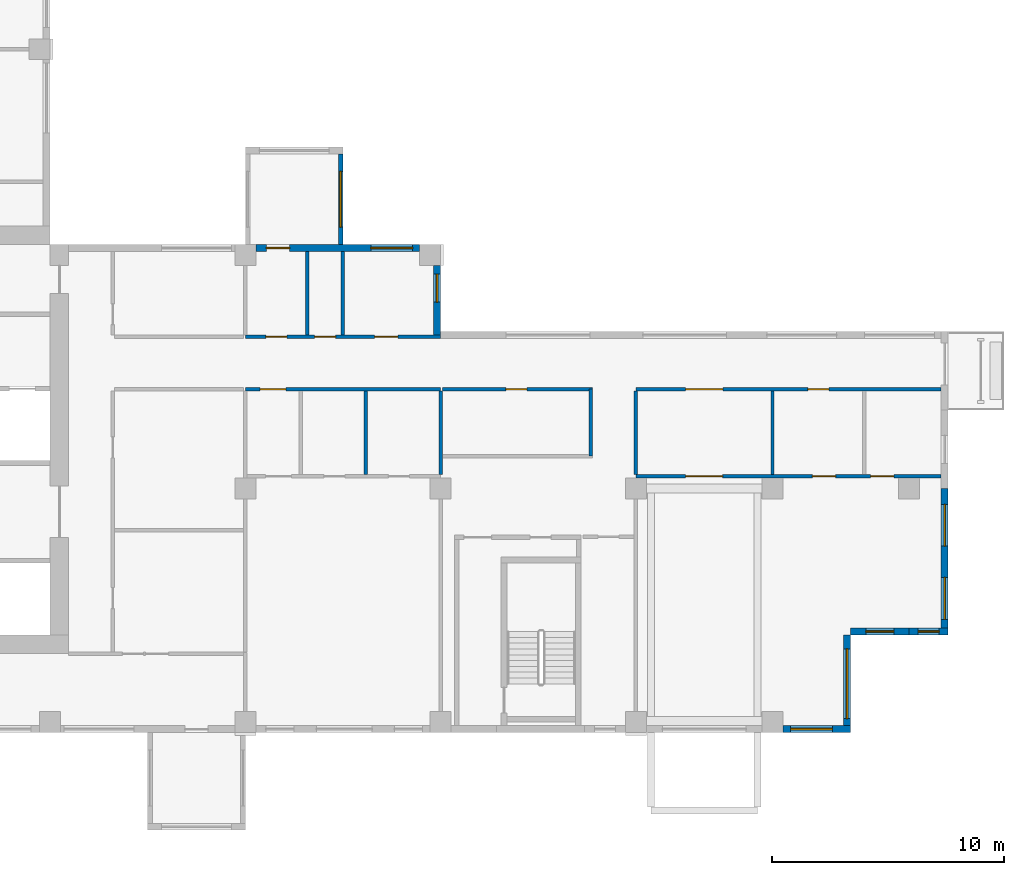
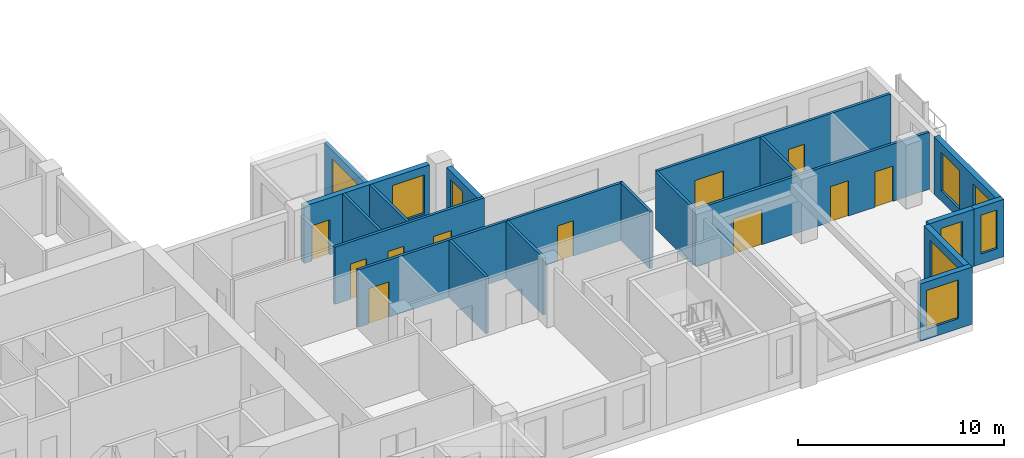
# One storey, part 5 of 12: 20 walls, 11 doors, 9 windows, 20 openings.
"""IFC4 building model written with IfcOpenShell, lengths in metres."""

from ifc_helpers import new_model, si_unit, direction, frame, frame_2d, origin, place, context, subcontext, project, spatial, rectangle, extrude, source, transform, mapped, material, layer, layer_set, type_object, element, fill, save


model = new_model("IFC4")

# Units and contexts
model_context = context("Model", 3, precision=1e-05, world=origin(), true_north=direction((0.0, 1.0)))
body_context = subcontext(model_context, "Body", "Model", "MODEL_VIEW")
ifc_project = project(units=[si_unit("LENGTHUNIT", "METRE"), si_unit("AREAUNIT", "SQUARE_METRE"), si_unit("VOLUMEUNIT", "CUBIC_METRE"), si_unit("PLANEANGLEUNIT", "RADIAN"), si_unit("MASSUNIT", "GRAM", prefix="KILO")], contexts=[model_context])

# Site, building, storey
site_placement = place(None, origin())
site = spatial("IfcSite", under=ifc_project, at=site_placement, CompositionType="ELEMENT")
building_placement = place(site_placement, origin())
building = spatial("IfcBuilding", under=site, at=building_placement, Name="Aurelian Terraces", CompositionType="ELEMENT")
storey_placement = place(building_placement, frame((0.0, 0.0, 196.8)))
storey = spatial("IfcBuildingStorey", under=building, at=storey_placement, Name="L43", CompositionType="ELEMENT", Elevation=196.8)

# Wall, opening, window
ifc_material_1 = material(Name="Terracotta rainscreen cladding", Category="masonry")
ifc_layer_1 = layer(ifc_material_1, 0.3)
ifc_layer_set_1 = layer_set([ifc_layer_1], Name="EW-300")
wall_type_1 = type_object("IfcWallType", Name="EW-300", PredefinedType="STANDARD", material=ifc_layer_set_1)
shared_shape_1 = source(origin(), body_context, "Body", "SweptSolid", [
    extrude(rectangle(XDim=2.91, YDim=0.3, at=frame_2d((1.455, 0.0))), origin(), (0.0, 0.0, 1.0), 3.4),
])
wall_1_placement = place(storey_placement, frame((52.53, 0.15, 0.0), z_axis=(0.0, 0.0, 1.0), x_axis=(1.0, 0.0, 0.0)))
wall_1 = element("IfcWall", 1, at=wall_1_placement, inside=storey, type_object=wall_type_1, Name="External wall L43 F01.7", PredefinedType="STANDARD", context=body_context, shape_type="MappedRepresentation", body=[
    mapped(shared_shape_1, transform((0.0, 0.0, 0.0), scale=1.0)),
])
shared_shape_2 = source(origin(), body_context, "Body", "SweptSolid", [
    extrude(rectangle(XDim=1.8, YDim=2.3, at=frame_2d((0.9, 1.15))), frame((0.0, 0.16, 0.0), z_axis=(0.0, -1.0, 0.0), x_axis=(1.0, 0.0, 0.0)), (0.0, 0.0, 1.0), 0.32),
])
opening_1_placement = place(wall_1_placement, frame((0.33, 0.0, 0.6)))
opening_1 = element("IfcOpeningElement", 2, at=opening_1_placement, cuts=wall_1, Name="Opening W1823", PredefinedType="OPENING", context=body_context, shape_type="MappedRepresentation", body=[
    mapped(shared_shape_2, transform((0.0, 0.0, 0.0), scale=1.0)),
])
ifc_material_2 = material(Name="Clear glazing", Category="glass")
window_type_1 = type_object("IfcWindowType", Name="W-1800x2300", PartitioningType="SINGLE_PANEL", PredefinedType="WINDOW", material=ifc_material_2)
shared_shape_3 = source(origin(), body_context, "Body", "SweptSolid", [
    extrude(rectangle(XDim=1.8, YDim=2.3, at=frame_2d((0.9, 1.15))), frame((0.0, 0.03, 0.0), z_axis=(0.0, -1.0, 0.0), x_axis=(1.0, 0.0, 0.0)), (0.0, 0.0, 1.0), 0.06),
])
window_1_placement = place(opening_1_placement, origin())
window_1 = element("IfcWindow", 3, at=window_1_placement, inside=storey, type_object=window_type_1, Name="Window L43 L43-F01-07-0", OverallHeight=2.3, OverallWidth=1.8, PartitioningType="SINGLE_PANEL", PredefinedType="WINDOW", context=body_context, shape_type="MappedRepresentation", body=[
    mapped(shared_shape_3, transform((0.0, 0.0, 0.0), scale=1.0)),
])
fill(opening_1, window_1)

shared_shape_4 = source(origin(), body_context, "Body", "SweptSolid", [
    extrude(rectangle(XDim=4.2, YDim=0.3, at=frame_2d((2.1, 0.0))), origin(), (0.0, 0.0, 1.0), 3.4),
])
wall_2_placement = place(storey_placement, frame((55.29, 0.0, 0.0), z_axis=(0.0, 0.0, 1.0), x_axis=(0.0, 1.0, 0.0)))
wall_2 = element("IfcWall", 4, at=wall_2_placement, inside=storey, type_object=wall_type_1, Name="External wall L43 F02.8", PredefinedType="STANDARD", context=body_context, shape_type="MappedRepresentation", body=[
    mapped(shared_shape_4, transform((0.0, 0.0, 0.0), scale=1.0)),
])
shared_shape_5 = source(origin(), body_context, "Body", "SweptSolid", [
    extrude(rectangle(XDim=3.0, YDim=2.3, at=frame_2d((1.5, 1.15))), frame((0.0, 0.16, 0.0), z_axis=(0.0, -1.0, 0.0), x_axis=(1.0, 0.0, 0.0)), (0.0, 0.0, 1.0), 0.32),
])
opening_2_placement = place(wall_2_placement, frame((0.6, 0.0, 0.6)))
opening_2 = element("IfcOpeningElement", 5, at=opening_2_placement, cuts=wall_2, Name="Opening W3023", PredefinedType="OPENING", context=body_context, shape_type="MappedRepresentation", body=[
    mapped(shared_shape_5, transform((0.0, 0.0, 0.0), scale=1.0)),
])
window_type_2 = type_object("IfcWindowType", Name="W-3000x2300", PartitioningType="SINGLE_PANEL", PredefinedType="WINDOW", material=ifc_material_2)
shared_shape_6 = source(origin(), body_context, "Body", "SweptSolid", [
    extrude(rectangle(XDim=3.0, YDim=2.3, at=frame_2d((1.5, 1.15))), frame((0.0, 0.03, 0.0), z_axis=(0.0, -1.0, 0.0), x_axis=(1.0, 0.0, 0.0)), (0.0, 0.0, 1.0), 0.06),
])
window_2_placement = place(opening_2_placement, origin())
window_2 = element("IfcWindow", 6, at=window_2_placement, inside=storey, type_object=window_type_2, Name="Window L43 L43-F02-08-0", OverallHeight=2.3, OverallWidth=3.0, PartitioningType="SINGLE_PANEL", PredefinedType="WINDOW", context=body_context, shape_type="MappedRepresentation", body=[
    mapped(shared_shape_6, transform((0.0, 0.0, 0.0), scale=1.0)),
])
fill(opening_2, window_2)

shared_shape_7 = source(origin(), body_context, "Body", "SweptSolid", [
    extrude(rectangle(XDim=2.52, YDim=0.3, at=frame_2d((1.26, 0.0))), origin(), (0.0, 0.0, 1.0), 3.4),
])
wall_3_placement = place(storey_placement, frame((55.44, 4.35, 0.0), z_axis=(0.0, 0.0, 1.0), x_axis=(1.0, 0.0, 0.0)))
wall_3 = element("IfcWall", 7, at=wall_3_placement, inside=storey, type_object=wall_type_1, Name="External wall L43 F03.9", PredefinedType="STANDARD", context=body_context, shape_type="MappedRepresentation", body=[
    mapped(shared_shape_7, transform((0.0, 0.0, 0.0), scale=1.0)),
])
shared_shape_8 = source(origin(), body_context, "Body", "SweptSolid", [
    extrude(rectangle(XDim=1.2, YDim=2.3, at=frame_2d((0.6, 1.15))), frame((0.0, 0.16, 0.0), z_axis=(0.0, -1.0, 0.0), x_axis=(1.0, 0.0, 0.0)), (0.0, 0.0, 1.0), 0.32),
])
opening_3_placement = place(wall_3_placement, frame((0.66, 0.0, 0.6)))
opening_3 = element("IfcOpeningElement", 8, at=opening_3_placement, cuts=wall_3, Name="Opening W1223", PredefinedType="OPENING", context=body_context, shape_type="MappedRepresentation", body=[
    mapped(shared_shape_8, transform((0.0, 0.0, 0.0), scale=1.0)),
])
window_type_3 = type_object("IfcWindowType", Name="W-1200x2300", PartitioningType="SINGLE_PANEL", PredefinedType="WINDOW", material=ifc_material_2)
shared_shape_9 = source(origin(), body_context, "Body", "SweptSolid", [
    extrude(rectangle(XDim=1.2, YDim=2.3, at=frame_2d((0.6, 1.15))), frame((0.0, 0.03, 0.0), z_axis=(0.0, -1.0, 0.0), x_axis=(1.0, 0.0, 0.0)), (0.0, 0.0, 1.0), 0.06),
])
window_3_placement = place(opening_3_placement, origin())
window_3 = element("IfcWindow", 9, at=window_3_placement, inside=storey, type_object=window_type_3, Name="Window L43 L43-F03-09-0", OverallHeight=2.3, OverallWidth=1.2, PartitioningType="SINGLE_PANEL", PredefinedType="WINDOW", context=body_context, shape_type="MappedRepresentation", body=[
    mapped(shared_shape_9, transform((0.0, 0.0, 0.0), scale=1.0)),
])
fill(opening_3, window_3)

shared_shape_10 = source(origin(), body_context, "Body", "SweptSolid", [
    extrude(rectangle(XDim=1.68, YDim=0.3, at=frame_2d((0.84, 0.0))), origin(), (0.0, 0.0, 1.0), 3.4),
])
wall_4_placement = place(storey_placement, frame((57.96, 4.35, 0.0), z_axis=(0.0, 0.0, 1.0), x_axis=(1.0, 0.0, 0.0)))
wall_4 = element("IfcWall", 10, at=wall_4_placement, inside=storey, type_object=wall_type_1, Name="External wall L43 F03.10", PredefinedType="STANDARD", context=body_context, shape_type="MappedRepresentation", body=[
    mapped(shared_shape_10, transform((0.0, 0.0, 0.0), scale=1.0)),
])
shared_shape_11 = source(origin(), body_context, "Body", "SweptSolid", [
    extrude(rectangle(XDim=0.9, YDim=2.3, at=frame_2d((0.45, 1.15))), frame((0.0, 0.16, 0.0), z_axis=(0.0, -1.0, 0.0), x_axis=(1.0, 0.0, 0.0)), (0.0, 0.0, 1.0), 0.32),
])
opening_4_placement = place(wall_4_placement, frame((0.39, 0.0, 0.6)))
opening_4 = element("IfcOpeningElement", 11, at=opening_4_placement, cuts=wall_4, Name="Opening W0923", PredefinedType="OPENING", context=body_context, shape_type="MappedRepresentation", body=[
    mapped(shared_shape_11, transform((0.0, 0.0, 0.0), scale=1.0)),
])
window_type_4 = type_object("IfcWindowType", Name="W-900x2300", PartitioningType="SINGLE_PANEL", PredefinedType="WINDOW", material=ifc_material_2)
shared_shape_12 = source(origin(), body_context, "Body", "SweptSolid", [
    extrude(rectangle(XDim=0.9, YDim=2.3, at=frame_2d((0.45, 1.15))), frame((0.0, 0.03, 0.0), z_axis=(0.0, -1.0, 0.0), x_axis=(1.0, 0.0, 0.0)), (0.0, 0.0, 1.0), 0.06),
])
window_4_placement = place(opening_4_placement, origin())
window_4 = element("IfcWindow", 12, at=window_4_placement, inside=storey, type_object=window_type_4, Name="Window L43 L43-F03-10-P0", OverallHeight=2.3, OverallWidth=0.9, PartitioningType="SINGLE_PANEL", PredefinedType="WINDOW", context=body_context, shape_type="MappedRepresentation", body=[
    mapped(shared_shape_12, transform((0.0, 0.0, 0.0), scale=1.0)),
])
fill(opening_4, window_4)

ifc_material_3 = material(Name="Concrete fc' 40 MPa", Category="concrete")
ifc_layer_2 = layer(ifc_material_3, 0.2)
ifc_layer_set_2 = layer_set([ifc_layer_2], Name="BOX BEARING WALL 200")
wall_type_2 = type_object("IfcWallType", Name="BOX BEARING WALL 200", PredefinedType="SOLIDWALL", material=ifc_layer_set_2)
shared_shape_13 = source(origin(), body_context, "Body", "SweptSolid", [
    extrude(rectangle(XDim=3.9, YDim=0.2, at=frame_2d((1.95, 0.0))), origin(), (0.0, 0.0, 1.0), 3.4),
])
wall_5_placement = place(storey_placement, frame((33.5, 21.0, 0.0), z_axis=(0.0, 0.0, 1.0), x_axis=(0.0, 1.0, 0.0)))
wall_5 = element("IfcWall", 13, at=wall_5_placement, inside=storey, type_object=wall_type_2, Name="Box return L43 J59.1", PredefinedType="SOLIDWALL", context=body_context, shape_type="MappedRepresentation", body=[
    mapped(shared_shape_13, transform((0.0, 0.0, 0.0), scale=1.0)),
])
shared_shape_14 = source(origin(), body_context, "Body", "SweptSolid", [
    extrude(rectangle(XDim=2.4, YDim=2.3, at=frame_2d((1.2, 1.15))), frame((0.0, 0.11, 0.0), z_axis=(0.0, -1.0, 0.0), x_axis=(1.0, 0.0, 0.0)), (0.0, 0.0, 1.0), 0.22),
])
opening_5_placement = place(wall_5_placement, frame((0.75, 0.0, 0.6)))
opening_5 = element("IfcOpeningElement", 14, at=opening_5_placement, cuts=wall_5, Name="Opening W2423", PredefinedType="OPENING", context=body_context, shape_type="MappedRepresentation", body=[
    mapped(shared_shape_14, transform((0.0, 0.0, 0.0), scale=1.0)),
])
window_type_5 = type_object("IfcWindowType", Name="W-2400x2300", PartitioningType="SINGLE_PANEL", PredefinedType="WINDOW", material=ifc_material_2)
shared_shape_15 = source(origin(), body_context, "Body", "SweptSolid", [
    extrude(rectangle(XDim=2.4, YDim=2.3, at=frame_2d((1.2, 1.15))), frame((0.0, 0.03, 0.0), z_axis=(0.0, -1.0, 0.0), x_axis=(1.0, 0.0, 0.0)), (0.0, 0.0, 1.0), 0.06),
])
window_5_placement = place(opening_5_placement, origin())
window_5 = element("IfcWindow", 15, at=window_5_placement, inside=storey, type_object=window_type_5, Name="Window L43 J59-S1", OverallHeight=2.3, OverallWidth=2.4, PartitioningType="SINGLE_PANEL", PredefinedType="WINDOW", context=body_context, shape_type="MappedRepresentation", body=[
    mapped(shared_shape_15, transform((0.0, 0.0, 0.0), scale=1.0)),
])
fill(opening_5, window_5)

# Wall, openings, windows
shared_shape_16 = source(origin(), body_context, "Body", "SweptSolid", [
    extrude(rectangle(XDim=6.3, YDim=0.3, at=frame_2d((3.15, 0.0))), origin(), (0.0, 0.0, 1.0), 3.4),
])
wall_6_placement = place(storey_placement, frame((59.49, 4.2, 0.0), z_axis=(0.0, 0.0, 1.0), x_axis=(0.0, 1.0, 0.0)))
wall_6 = element("IfcWall", 16, at=wall_6_placement, inside=storey, type_object=wall_type_1, Name="External wall L43 F04.11", PredefinedType="STANDARD", context=body_context, shape_type="MappedRepresentation", body=[
    mapped(shared_shape_16, transform((0.0, 0.0, 0.0), scale=1.0)),
])
opening_6_placement = place(wall_6_placement, frame((0.675, 0.0, 0.6)))
opening_6 = element("IfcOpeningElement", 17, at=opening_6_placement, cuts=wall_6, Name="Opening W1823", PredefinedType="OPENING", context=body_context, shape_type="MappedRepresentation", body=[
    mapped(shared_shape_2, transform((0.0, 0.0, 0.0), scale=1.0)),
])
opening_7_placement = place(wall_6_placement, frame((3.825, 0.0, 0.6)))
opening_7 = element("IfcOpeningElement", 18, at=opening_7_placement, cuts=wall_6, Name="Opening W1823", PredefinedType="OPENING", context=body_context, shape_type="MappedRepresentation", body=[
    mapped(shared_shape_2, transform((0.0, 0.0, 0.0), scale=1.0)),
])
window_6_placement = place(opening_6_placement, origin())
window_6 = element("IfcWindow", 19, at=window_6_placement, inside=storey, type_object=window_type_1, Name="Window L43 L43-F04-11-0", OverallHeight=2.3, OverallWidth=1.8, PartitioningType="SINGLE_PANEL", PredefinedType="WINDOW", context=body_context, shape_type="MappedRepresentation", body=[
    mapped(shared_shape_3, transform((0.0, 0.0, 0.0), scale=1.0)),
])
fill(opening_6, window_6)
window_7_placement = place(opening_7_placement, origin())
window_7 = element("IfcWindow", 20, at=window_7_placement, inside=storey, type_object=window_type_1, Name="Window L43 L43-F04-11-1", OverallHeight=2.3, OverallWidth=1.8, PartitioningType="SINGLE_PANEL", PredefinedType="WINDOW", context=body_context, shape_type="MappedRepresentation", body=[
    mapped(shared_shape_3, transform((0.0, 0.0, 0.0), scale=1.0)),
])
fill(opening_7, window_7)

# Wall, opening, window
shared_shape_17 = source(origin(), body_context, "Body", "SweptSolid", [
    extrude(rectangle(XDim=3.0, YDim=0.3, at=frame_2d((1.5, 0.0))), origin(), (0.0, 0.0, 1.0), 3.4),
])
wall_7_placement = place(storey_placement, frame((37.65, 17.1, 0.0), z_axis=(0.0, 0.0, 1.0), x_axis=(0.0, 1.0, 0.0)))
wall_7 = element("IfcWall", 21, at=wall_7_placement, inside=storey, type_object=wall_type_1, Name="External wall L43 F06.15", PredefinedType="STANDARD", context=body_context, shape_type="MappedRepresentation", body=[
    mapped(shared_shape_17, transform((0.0, 0.0, 0.0), scale=1.0)),
])
opening_8_placement = place(wall_7_placement, frame((1.425, 0.0, 0.6)))
opening_8 = element("IfcOpeningElement", 22, at=opening_8_placement, cuts=wall_7, Name="Opening W1223", PredefinedType="OPENING", context=body_context, shape_type="MappedRepresentation", body=[
    mapped(shared_shape_8, transform((0.0, 0.0, 0.0), scale=1.0)),
])
window_8_placement = place(opening_8_placement, origin())
window_8 = element("IfcWindow", 23, at=window_8_placement, inside=storey, type_object=window_type_3, Name="Window L43 L43-F06-15-0", OverallHeight=2.3, OverallWidth=1.2, PartitioningType="SINGLE_PANEL", PredefinedType="WINDOW", context=body_context, shape_type="MappedRepresentation", body=[
    mapped(shared_shape_9, transform((0.0, 0.0, 0.0), scale=1.0)),
])
fill(opening_8, window_8)

# Wall, openings, window, door
shared_shape_18 = source(origin(), body_context, "Body", "SweptSolid", [
    extrude(rectangle(XDim=7.05, YDim=0.3, at=frame_2d((3.525, 0.0))), origin(), (0.0, 0.0, 1.0), 3.4),
])
wall_8_placement = place(storey_placement, frame((36.9, 20.85, 0.0), z_axis=(0.0, 0.0, 1.0), x_axis=(-1.0, 0.0, 0.0)))
wall_8 = element("IfcWall", 24, at=wall_8_placement, inside=storey, type_object=wall_type_1, Name="External wall L43 F07.16", PredefinedType="STANDARD", context=body_context, shape_type="MappedRepresentation", body=[
    mapped(shared_shape_18, transform((0.0, 0.0, 0.0), scale=1.0)),
])
opening_9_placement = place(wall_8_placement, frame((0.3, 0.0, 0.6)))
opening_9 = element("IfcOpeningElement", 25, at=opening_9_placement, cuts=wall_8, Name="Opening W1823", PredefinedType="OPENING", context=body_context, shape_type="MappedRepresentation", body=[
    mapped(shared_shape_2, transform((0.0, 0.0, 0.0), scale=1.0)),
])
shared_shape_19 = source(origin(), body_context, "Body", "SweptSolid", [
    extrude(rectangle(XDim=1.0, YDim=2.1, at=frame_2d((0.5, 1.05))), frame((0.0, 0.16, 0.0), z_axis=(0.0, -1.0, 0.0), x_axis=(1.0, 0.0, 0.0)), (0.0, 0.0, 1.0), 0.32),
])
opening_10_placement = place(wall_8_placement, frame((5.6, 0.0, 0.0)))
opening_10 = element("IfcOpeningElement", 26, at=opening_10_placement, cuts=wall_8, Name="Opening 843002", PredefinedType="OPENING", context=body_context, shape_type="MappedRepresentation", body=[
    mapped(shared_shape_19, transform((0.0, 0.0, 0.0), scale=1.0)),
])
window_9_placement = place(opening_9_placement, origin())
window_9 = element("IfcWindow", 27, at=window_9_placement, inside=storey, type_object=window_type_1, Name="Window L43 L43-F07-16-0", OverallHeight=2.3, OverallWidth=1.8, PartitioningType="SINGLE_PANEL", PredefinedType="WINDOW", context=body_context, shape_type="MappedRepresentation", body=[
    mapped(shared_shape_3, transform((0.0, 0.0, 0.0), scale=1.0)),
])
fill(opening_9, window_9)
ifc_material_4 = material(Name="Timber door leaf", Category="wood")
door_type_1 = type_object("IfcDoorType", Name="Room door 1000x2100 left", OperationType="SINGLE_SWING_LEFT", PredefinedType="DOOR", material=ifc_material_4)
shared_shape_20 = source(origin(), body_context, "Body", "SweptSolid", [
    extrude(rectangle(XDim=1.0, YDim=2.1, at=frame_2d((0.5, 1.05))), frame((0.0, 0.025, 0.0), z_axis=(0.0, -1.0, 0.0), x_axis=(1.0, 0.0, 0.0)), (0.0, 0.0, 1.0), 0.05),
])
door_1_placement = place(opening_10_placement, origin())
door_1 = element("IfcDoor", 28, at=door_1_placement, inside=storey, type_object=door_type_1, Name="Door 843002", OperationType="SINGLE_SWING_LEFT", OverallHeight=2.1, OverallWidth=1.0, PredefinedType="DOOR", context=body_context, shape_type="MappedRepresentation", body=[
    mapped(shared_shape_20, transform((0.0, 0.0, 0.0), scale=1.0)),
])
fill(opening_10, door_1)

# Wall, opening, door
ifc_material_5 = material(Name="Gypsum board on steel studs", Category="steel")
ifc_layer_3 = layer(ifc_material_5, 0.15)
ifc_layer_set_3 = layer_set([ifc_layer_3], Name="Fire partition 150")
wall_type_3 = type_object("IfcWallType", Name="Fire partition 150", PredefinedType="PARTITIONING", material=ifc_layer_set_3)
shared_shape_21 = source(origin(), body_context, "Body", "SweptSolid", [
    extrude(rectangle(XDim=6.45, YDim=0.15, at=frame_2d((3.225, 0.0))), origin(), (0.0, 0.0, 1.0), 3.4),
])
wall_9_placement = place(storey_placement, frame((44.325, 14.775, 0.0), z_axis=(0.0, 0.0, 1.0), x_axis=(-1.0, 0.0, 0.0)))
wall_9 = element("IfcWall", 29, at=wall_9_placement, inside=storey, type_object=wall_type_3, Name="Corridor wall", PredefinedType="PARTITIONING", context=body_context, shape_type="MappedRepresentation", body=[
    mapped(shared_shape_21, transform((0.0, 0.0, 0.0), scale=1.0)),
])
shared_shape_22 = source(origin(), body_context, "Body", "SweptSolid", [
    extrude(rectangle(XDim=0.9, YDim=2.1, at=frame_2d((0.45, 1.05))), frame((0.0, 0.085, 0.0), z_axis=(0.0, -1.0, 0.0), x_axis=(1.0, 0.0, 0.0)), (0.0, 0.0, 1.0), 0.17),
])
opening_11_placement = place(wall_9_placement, frame((2.8125, 0.0, 0.0)))
opening_11 = element("IfcOpeningElement", 30, at=opening_11_placement, cuts=wall_9, Name="Opening 743005", PredefinedType="OPENING", context=body_context, shape_type="MappedRepresentation", body=[
    mapped(shared_shape_22, transform((0.0, 0.0, 0.0), scale=1.0)),
])
door_type_2 = type_object("IfcDoorType", Name="Room door 900x2100 left", OperationType="SINGLE_SWING_LEFT", PredefinedType="DOOR", material=ifc_material_4)
shared_shape_23 = source(origin(), body_context, "Body", "SweptSolid", [
    extrude(rectangle(XDim=0.9, YDim=2.1, at=frame_2d((0.45, 1.05))), frame((0.0, 0.025, 0.0), z_axis=(0.0, -1.0, 0.0), x_axis=(1.0, 0.0, 0.0)), (0.0, 0.0, 1.0), 0.05),
])
door_2_placement = place(opening_11_placement, origin())
door_2 = element("IfcDoor", 31, at=door_2_placement, inside=storey, type_object=door_type_2, Name="Door 743005", OperationType="SINGLE_SWING_LEFT", OverallHeight=2.1, OverallWidth=0.9, PredefinedType="DOOR", context=body_context, shape_type="MappedRepresentation", body=[
    mapped(shared_shape_23, transform((0.0, 0.0, 0.0), scale=1.0)),
])
fill(opening_11, door_2)

# Walls
ifc_layer_4 = layer(ifc_material_5, 0.15)
ifc_layer_set_4 = layer_set([ifc_layer_4], Name="Partition 150")
wall_type_4 = type_object("IfcWallType", Name="Partition 150", PredefinedType="PARTITIONING", material=ifc_layer_set_4)
shared_shape_24 = source(origin(), body_context, "Body", "SweptSolid", [
    extrude(rectangle(XDim=3.6, YDim=0.15, at=frame_2d((1.8, 0.0))), origin(), (0.0, 0.0, 1.0), 3.4),
])
wall_10_placement = place(storey_placement, frame((34.5827, 11.1, 0.0), z_axis=(0.0, 0.0, 1.0), x_axis=(0.0, 1.0, 0.0)))
element("IfcWall", 32, at=wall_10_placement, inside=storey, type_object=wall_type_4, Name="Partition", PredefinedType="PARTITIONING", context=body_context, shape_type="MappedRepresentation", body=[
    mapped(shared_shape_24, transform((0.0, 0.0, 0.0), scale=1.0)),
])
wall_11_placement = place(storey_placement, frame((37.8, 11.1, 0.0), z_axis=(0.0, 0.0, 1.0), x_axis=(0.0, 1.0, 0.0)))
element("IfcWall", 33, at=wall_11_placement, inside=storey, type_object=wall_type_3, Name="Party wall", PredefinedType="PARTITIONING", context=body_context, shape_type="MappedRepresentation", body=[
    mapped(shared_shape_24, transform((0.0, 0.0, 0.0), scale=1.0)),
])
wall_12_placement = place(storey_placement, frame((52.08, 11.1, 0.0), z_axis=(0.0, 0.0, 1.0), x_axis=(0.0, 1.0, 0.0)))
element("IfcWall", 34, at=wall_12_placement, inside=storey, type_object=wall_type_4, Name="Partition", PredefinedType="PARTITIONING", context=body_context, shape_type="MappedRepresentation", body=[
    mapped(shared_shape_24, transform((0.0, 0.0, 0.0), scale=1.0)),
])
wall_13_placement = place(storey_placement, frame((46.2, 11.1, 0.0), z_axis=(0.0, 0.0, 1.0), x_axis=(0.0, 1.0, 0.0)))
element("IfcWall", 35, at=wall_13_placement, inside=storey, type_object=wall_type_3, Name="Party wall", PredefinedType="PARTITIONING", context=body_context, shape_type="MappedRepresentation", body=[
    mapped(shared_shape_24, transform((0.0, 0.0, 0.0), scale=1.0)),
])
wall_14_placement = place(storey_placement, frame((32.067, 20.7, 0.0), z_axis=(0.0, 0.0, 1.0), x_axis=(0.0, -1.0, 0.0)))
element("IfcWall", 36, at=wall_14_placement, inside=storey, type_object=wall_type_4, Name="Partition", PredefinedType="PARTITIONING", context=body_context, shape_type="MappedRepresentation", body=[
    mapped(shared_shape_24, transform((0.0, 0.0, 0.0), scale=1.0)),
])
wall_15_placement = place(storey_placement, frame((33.6, 17.1, 0.0), z_axis=(0.0, 0.0, 1.0), x_axis=(0.0, 1.0, 0.0)))
element("IfcWall", 37, at=wall_15_placement, inside=storey, type_object=wall_type_3, Name="Party wall", PredefinedType="PARTITIONING", context=body_context, shape_type="MappedRepresentation", body=[
    mapped(shared_shape_24, transform((0.0, 0.0, 0.0), scale=1.0)),
])

# Wall, opening, door
shared_shape_25 = source(origin(), body_context, "Body", "SweptSolid", [
    extrude(rectangle(XDim=8.4, YDim=0.15, at=frame_2d((4.2, 0.0))), origin(), (0.0, 0.0, 1.0), 3.4),
])
wall_16_placement = place(storey_placement, frame((37.8, 14.775, 0.0), z_axis=(0.0, 0.0, 1.0), x_axis=(-1.0, 0.0, 0.0)))
wall_16 = element("IfcWall", 38, at=wall_16_placement, inside=storey, type_object=wall_type_3, Name="Corridor wall", PredefinedType="PARTITIONING", context=body_context, shape_type="MappedRepresentation", body=[
    mapped(shared_shape_25, transform((0.0, 0.0, 0.0), scale=1.0)),
])
shared_shape_26 = source(origin(), body_context, "Body", "SweptSolid", [
    extrude(rectangle(XDim=1.1, YDim=2.1, at=frame_2d((0.55, 1.05))), frame((0.0, 0.085, 0.0), z_axis=(0.0, -1.0, 0.0), x_axis=(1.0, 0.0, 0.0)), (0.0, 0.0, 1.0), 0.17),
])
opening_12_placement = place(wall_16_placement, frame((6.6615, 0.0, 0.0)))
opening_12 = element("IfcOpeningElement", 39, at=opening_12_placement, cuts=wall_16, Name="Opening 743007", PredefinedType="OPENING", context=body_context, shape_type="MappedRepresentation", body=[
    mapped(shared_shape_26, transform((0.0, 0.0, 0.0), scale=1.0)),
])
ifc_material_6 = material(Name="Steel door leaf", Category="steel")
door_type_3 = type_object("IfcDoorType", Name="Entrance fire door 1100x2100 right", OperationType="SINGLE_SWING_RIGHT", PredefinedType="DOOR", material=ifc_material_6)
shared_shape_27 = source(origin(), body_context, "Body", "SweptSolid", [
    extrude(rectangle(XDim=1.1, YDim=2.1, at=frame_2d((0.55, 1.05))), frame((0.0, 0.025, 0.0), z_axis=(0.0, -1.0, 0.0), x_axis=(1.0, 0.0, 0.0)), (0.0, 0.0, 1.0), 0.05),
])
door_3_placement = place(opening_12_placement, origin())
door_3 = element("IfcDoor", 40, at=door_3_placement, inside=storey, type_object=door_type_3, Name="Door 743007", OperationType="SINGLE_SWING_RIGHT", OverallHeight=2.1, OverallWidth=1.1, PredefinedType="DOOR", context=body_context, shape_type="MappedRepresentation", body=[
    mapped(shared_shape_27, transform((0.0, 0.0, 0.0), scale=1.0)),
])
fill(opening_12, door_3)

# Wall, openings, doors
wall_17_placement = place(storey_placement, frame((29.4, 17.025, 0.0), z_axis=(0.0, 0.0, 1.0), x_axis=(1.0, 0.0, 0.0)))
wall_17 = element("IfcWall", 41, at=wall_17_placement, inside=storey, type_object=wall_type_3, Name="Corridor wall", PredefinedType="PARTITIONING", context=body_context, shape_type="MappedRepresentation", body=[
    mapped(shared_shape_25, transform((0.0, 0.0, 0.0), scale=1.0)),
])
opening_13_placement = place(wall_17_placement, frame((0.8835, 0.0, 0.0)))
opening_13 = element("IfcOpeningElement", 42, at=opening_13_placement, cuts=wall_17, Name="Opening 743016", PredefinedType="OPENING", context=body_context, shape_type="MappedRepresentation", body=[
    mapped(shared_shape_22, transform((0.0, 0.0, 0.0), scale=1.0)),
])
opening_14_placement = place(wall_17_placement, frame((2.9835, 0.0, 0.0)))
opening_14 = element("IfcOpeningElement", 43, at=opening_14_placement, cuts=wall_17, Name="Opening 743017", PredefinedType="OPENING", context=body_context, shape_type="MappedRepresentation", body=[
    mapped(shared_shape_22, transform((0.0, 0.0, 0.0), scale=1.0)),
])
shared_shape_28 = source(origin(), body_context, "Body", "SweptSolid", [
    extrude(rectangle(XDim=1.0, YDim=2.1, at=frame_2d((0.5, 1.05))), frame((0.0, 0.085, 0.0), z_axis=(0.0, -1.0, 0.0), x_axis=(1.0, 0.0, 0.0)), (0.0, 0.0, 1.0), 0.17),
])
opening_15_placement = place(wall_17_placement, frame((5.5567, 0.0, 0.0)))
opening_15 = element("IfcOpeningElement", 44, at=opening_15_placement, cuts=wall_17, Name="Opening 743018", PredefinedType="OPENING", context=body_context, shape_type="MappedRepresentation", body=[
    mapped(shared_shape_28, transform((0.0, 0.0, 0.0), scale=1.0)),
])
door_type_4 = type_object("IfcDoorType", Name="Entrance fire door 1000x2100 right", OperationType="SINGLE_SWING_RIGHT", PredefinedType="DOOR", material=ifc_material_6)
door_4_placement = place(opening_15_placement, origin())
door_4 = element("IfcDoor", 45, at=door_4_placement, inside=storey, type_object=door_type_4, Name="Door 743018", OperationType="SINGLE_SWING_RIGHT", OverallHeight=2.1, OverallWidth=1.0, PredefinedType="DOOR", context=body_context, shape_type="MappedRepresentation", body=[
    mapped(shared_shape_20, transform((0.0, 0.0, 0.0), scale=1.0)),
])
fill(opening_15, door_4)
door_type_5 = type_object("IfcDoorType", Name="Entrance fire door 900x2100 right", OperationType="SINGLE_SWING_RIGHT", PredefinedType="DOOR", material=ifc_material_6)
door_5_placement = place(opening_13_placement, origin())
door_5 = element("IfcDoor", 46, at=door_5_placement, inside=storey, type_object=door_type_5, Name="Door 743016", OperationType="SINGLE_SWING_RIGHT", OverallHeight=2.1, OverallWidth=0.9, PredefinedType="DOOR", context=body_context, shape_type="MappedRepresentation", body=[
    mapped(shared_shape_23, transform((0.0, 0.0, 0.0), scale=1.0)),
])
fill(opening_13, door_5)
door_type_6 = type_object("IfcDoorType", Name="Entrance fire door 900x2100 left", OperationType="SINGLE_SWING_LEFT", PredefinedType="DOOR", material=ifc_material_6)
door_6_placement = place(opening_14_placement, origin())
door_6 = element("IfcDoor", 47, at=door_6_placement, inside=storey, type_object=door_type_6, Name="Door 743017", OperationType="SINGLE_SWING_LEFT", OverallHeight=2.1, OverallWidth=0.9, PredefinedType="DOOR", context=body_context, shape_type="MappedRepresentation", body=[
    mapped(shared_shape_23, transform((0.0, 0.0, 0.0), scale=1.0)),
])
fill(opening_14, door_6)

shared_shape_29 = source(origin(), body_context, "Body", "SweptSolid", [
    extrude(rectangle(XDim=13.14, YDim=0.15, at=frame_2d((6.57, 0.0))), origin(), (0.0, 0.0, 1.0), 3.4),
])
wall_18_placement = place(storey_placement, frame((59.34, 11.025, 0.0), z_axis=(0.0, 0.0, 1.0), x_axis=(-1.0, 0.0, 0.0)))
wall_18 = element("IfcWall", 48, at=wall_18_placement, inside=storey, type_object=wall_type_4, Name="Partition", PredefinedType="PARTITIONING", context=body_context, shape_type="MappedRepresentation", body=[
    mapped(shared_shape_29, transform((0.0, 0.0, 0.0), scale=1.0)),
])
shared_shape_30 = source(origin(), body_context, "Body", "SweptSolid", [
    extrude(rectangle(XDim=1.6, YDim=2.1, at=frame_2d((0.8, 1.05))), frame((0.0, 0.085, 0.0), z_axis=(0.0, -1.0, 0.0), x_axis=(1.0, 0.0, 0.0)), (0.0, 0.0, 1.0), 0.17),
])
opening_16_placement = place(wall_18_placement, frame((9.4025, 0.0, 0.0)))
opening_16 = element("IfcOpeningElement", 49, at=opening_16_placement, cuts=wall_18, Name="Opening 743012", PredefinedType="OPENING", context=body_context, shape_type="MappedRepresentation", body=[
    mapped(shared_shape_30, transform((0.0, 0.0, 0.0), scale=1.0)),
])
opening_17_placement = place(wall_18_placement, frame((4.5491, 0.0, 0.0)))
opening_17 = element("IfcOpeningElement", 50, at=opening_17_placement, cuts=wall_18, Name="Opening 743013", PredefinedType="OPENING", context=body_context, shape_type="MappedRepresentation", body=[
    mapped(shared_shape_28, transform((0.0, 0.0, 0.0), scale=1.0)),
])
opening_18_placement = place(wall_18_placement, frame((2.0381, 0.0, 0.0)))
opening_18 = element("IfcOpeningElement", 51, at=opening_18_placement, cuts=wall_18, Name="Opening 743014", PredefinedType="OPENING", context=body_context, shape_type="MappedRepresentation", body=[
    mapped(shared_shape_28, transform((0.0, 0.0, 0.0), scale=1.0)),
])
door_type_7 = type_object("IfcDoorType", Name="Room door 1000x2100 right", OperationType="SINGLE_SWING_RIGHT", PredefinedType="DOOR", material=ifc_material_4)
door_7_placement = place(opening_17_placement, origin())
door_7 = element("IfcDoor", 52, at=door_7_placement, inside=storey, type_object=door_type_7, Name="Door 743013", OperationType="SINGLE_SWING_RIGHT", OverallHeight=2.1, OverallWidth=1.0, PredefinedType="DOOR", context=body_context, shape_type="MappedRepresentation", body=[
    mapped(shared_shape_20, transform((0.0, 0.0, 0.0), scale=1.0)),
])
fill(opening_17, door_7)
door_8_placement = place(opening_18_placement, origin())
door_8 = element("IfcDoor", 53, at=door_8_placement, inside=storey, type_object=door_type_1, Name="Door 743014", OperationType="SINGLE_SWING_LEFT", OverallHeight=2.1, OverallWidth=1.0, PredefinedType="DOOR", context=body_context, shape_type="MappedRepresentation", body=[
    mapped(shared_shape_20, transform((0.0, 0.0, 0.0), scale=1.0)),
])
fill(opening_18, door_8)
door_type_8 = type_object("IfcDoorType", Name="Room door 1600x2100 left", OperationType="SINGLE_SWING_LEFT", PredefinedType="DOOR", material=ifc_material_4)
shared_shape_31 = source(origin(), body_context, "Body", "SweptSolid", [
    extrude(rectangle(XDim=1.6, YDim=2.1, at=frame_2d((0.8, 1.05))), frame((0.0, 0.025, 0.0), z_axis=(0.0, -1.0, 0.0), x_axis=(1.0, 0.0, 0.0)), (0.0, 0.0, 1.0), 0.05),
])
door_9_placement = place(opening_16_placement, origin())
door_9 = element("IfcDoor", 54, at=door_9_placement, inside=storey, type_object=door_type_8, Name="Door 743012", OperationType="SINGLE_SWING_LEFT", OverallHeight=2.1, OverallWidth=1.6, PredefinedType="DOOR", context=body_context, shape_type="MappedRepresentation", body=[
    mapped(shared_shape_31, transform((0.0, 0.0, 0.0), scale=1.0)),
])
fill(opening_16, door_9)

wall_19_placement = place(storey_placement, frame((59.34, 14.775, 0.0), z_axis=(0.0, 0.0, 1.0), x_axis=(-1.0, 0.0, 0.0)))
wall_19 = element("IfcWall", 55, at=wall_19_placement, inside=storey, type_object=wall_type_3, Name="Corridor wall", PredefinedType="PARTITIONING", context=body_context, shape_type="MappedRepresentation", body=[
    mapped(shared_shape_29, transform((0.0, 0.0, 0.0), scale=1.0)),
])
opening_19_placement = place(wall_19_placement, frame((9.4, 0.0, 0.0)))
opening_19 = element("IfcOpeningElement", 56, at=opening_19_placement, cuts=wall_19, Name="Opening 743011", PredefinedType="OPENING", context=body_context, shape_type="MappedRepresentation", body=[
    mapped(shared_shape_30, transform((0.0, 0.0, 0.0), scale=1.0)),
])
opening_20_placement = place(wall_19_placement, frame((4.8366, 0.0, 0.0)))
opening_20 = element("IfcOpeningElement", 57, at=opening_20_placement, cuts=wall_19, Name="Opening 743015", PredefinedType="OPENING", context=body_context, shape_type="MappedRepresentation", body=[
    mapped(shared_shape_22, transform((0.0, 0.0, 0.0), scale=1.0)),
])
door_10_placement = place(opening_20_placement, origin())
door_10 = element("IfcDoor", 58, at=door_10_placement, inside=storey, type_object=door_type_5, Name="Door 743015", OperationType="SINGLE_SWING_RIGHT", OverallHeight=2.1, OverallWidth=0.9, PredefinedType="DOOR", context=body_context, shape_type="MappedRepresentation", body=[
    mapped(shared_shape_23, transform((0.0, 0.0, 0.0), scale=1.0)),
])
fill(opening_20, door_10)
door_type_9 = type_object("IfcDoorType", Name="Entrance fire door 1600x2100 right", OperationType="SINGLE_SWING_RIGHT", PredefinedType="DOOR", material=ifc_material_6)
door_11_placement = place(opening_19_placement, origin())
door_11 = element("IfcDoor", 59, at=door_11_placement, inside=storey, type_object=door_type_9, Name="Door 743011", OperationType="SINGLE_SWING_RIGHT", OverallHeight=2.1, OverallWidth=1.6, PredefinedType="DOOR", context=body_context, shape_type="MappedRepresentation", body=[
    mapped(shared_shape_31, transform((0.0, 0.0, 0.0), scale=1.0)),
])
fill(opening_19, door_11)

# Wall
shared_shape_32 = source(origin(), body_context, "Body", "SweptSolid", [
    extrude(rectangle(XDim=2.875, YDim=0.15, at=frame_2d((1.4375, 0.0))), origin(), (0.0, 0.0, 1.0), 3.4),
])
wall_20_placement = place(storey_placement, frame((44.25, 11.9, 0.0), z_axis=(0.0, 0.0, 1.0), x_axis=(0.0, 1.0, 0.0)))
element("IfcWall", 60, at=wall_20_placement, inside=storey, type_object=wall_type_4, Name="Partition", PredefinedType="PARTITIONING", context=body_context, shape_type="MappedRepresentation", body=[
    mapped(shared_shape_32, transform((0.0, 0.0, 0.0), scale=1.0)),
])

save(model, "model.ifc")
